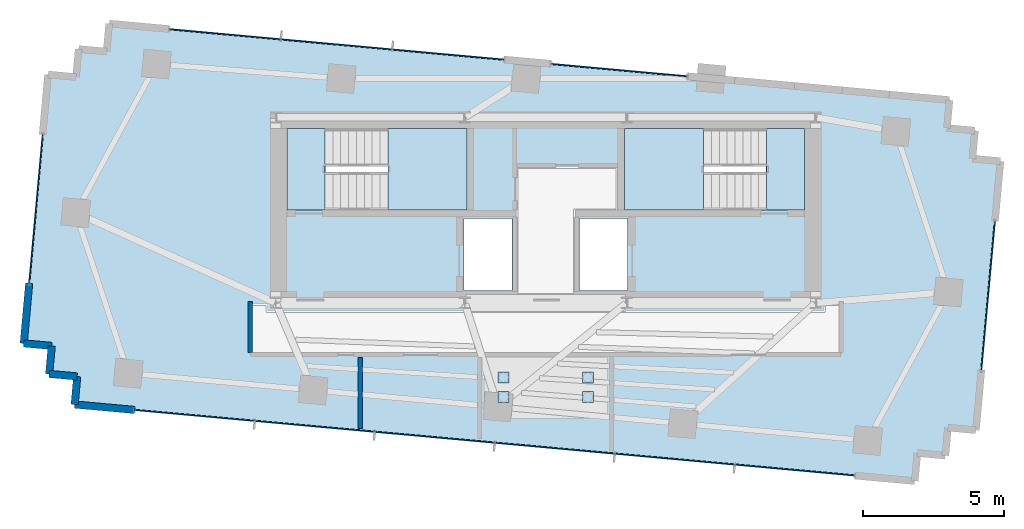
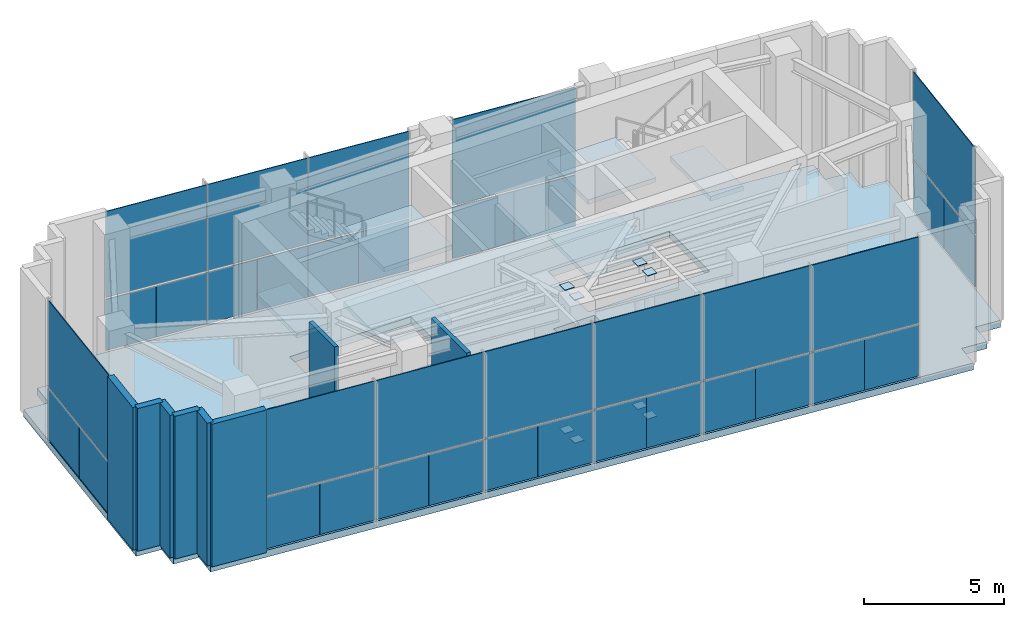
# One storey, part 11 of 14: 44 plates, 8 walls, 7 slabs, 7 elements without a shape of their own.
"""IFC4 building model written with IfcOpenShell, lengths in metres."""

from ifc_helpers import new_model, si_unit, direction, frame, frame_2d, origin, origin_2d, place, context, subcontext, project, spatial, polyline, rectangle, outline, extrude, source, transform, mapped, material, layer, layer_set, type_object, type_shapes, element, aggregate, save


model = new_model("IFC4")

# Units and contexts
model_context = context("Model", 3, precision=1e-05, world=origin(), true_north=direction((0.0, 1.0)))
body_context = subcontext(model_context, "Body", "Model", "MODEL_VIEW")
ifc_project = project(units=[si_unit("LENGTHUNIT", "METRE"), si_unit("AREAUNIT", "SQUARE_METRE"), si_unit("VOLUMEUNIT", "CUBIC_METRE"), si_unit("PLANEANGLEUNIT", "RADIAN"), si_unit("MASSUNIT", "GRAM", prefix="KILO")], contexts=[model_context])

# Site, building, storey
site_placement = place(None, origin())
site = spatial("IfcSite", under=ifc_project, at=site_placement, CompositionType="ELEMENT")
building_placement = place(site_placement, origin())
building = spatial("IfcBuilding", under=site, at=building_placement, Name="Astriad Promenade Condominiums", CompositionType="ELEMENT")
storey_placement = place(building_placement, frame((0.0, 0.0, 270.800048828125)))
storey = spatial("IfcBuildingStorey", under=building, at=storey_placement, Name="L77", CompositionType="ELEMENT", Elevation=270.800048828125)

# Slab
ifc_material_1 = material(Name="Concrete C50/60", Category="concrete")
ifc_layer_1 = layer(ifc_material_1, 0.300048828125)
ifc_layer_set_1 = layer_set([ifc_layer_1], Name="Concrete C50/60")
slab_type_1 = type_object("IfcSlabType", Name="CONCRETE PODIUM AND PLANT FLOOR SLAB 300", PredefinedType="FLOOR", material=ifc_layer_set_1)
slab_1_placement = place(storey_placement, frame((0.0, 0.0, -0.300048828125)))
element("IfcSlab", 1, at=slab_1_placement, inside=storey, type_object=slab_type_1, Name="Structural Floor Slab (L77)", PredefinedType="FLOOR", context=body_context, shape_type="SweptSolid", body=[
    extrude(outline(polyline([(19.245361328125, 13.78759765625), (49.1220703125, 11.068603515625), (49.212646484375, 12.064453125), (50.20849609375, 11.9736328125), (50.299072265625, 12.969482421875), (51.294921875, 12.87890625), (52.1650390625, 22.439453125), (51.169189453125, 22.530029296875), (51.259765625, 23.52587890625), (50.263916015625, 23.61669921875), (50.3544921875, 24.612548828125), (20.47802734375, 27.33154296875), (20.387451171875, 26.335693359375), (19.3916015625, 26.42626953125), (19.30078125, 25.430419921875), (18.304931640625, 25.52099609375), (17.434814453125, 15.96044921875), (18.430908203125, 15.869873046875), (18.340087890625, 14.8740234375), (19.336181640625, 14.783447265625), (19.245361328125, 13.78759765625)]), holes=[polyline([(28.175048828125, 20.699951171875), (33.175048828125, 20.699951171875), (33.175048828125, 23.60009765625), (28.175048828125, 23.60009765625), (28.175048828125, 20.699951171875)]), polyline([(38.824951171875, 20.699951171875), (43.824951171875, 20.699951171875), (43.824951171875, 23.60009765625), (38.824951171875, 23.60009765625), (38.824951171875, 20.699951171875)]), polyline([(33.10009765625, 17.85009765625), (34.800048828125, 17.85009765625), (34.800048828125, 20.39990234375), (33.10009765625, 20.39990234375), (33.10009765625, 17.85009765625)]), polyline([(37.199951171875, 17.85009765625), (38.89990234375, 17.85009765625), (38.89990234375, 20.39990234375), (37.199951171875, 20.39990234375), (37.199951171875, 17.85009765625)])]), origin(), (0.0, 0.0, 1.0), 0.300048828125),
])

# Stair, slabs
stair_type = type_object("IfcStairType", Name="STR-CORE-1350", PredefinedType="HALF_TURN_STAIR", material=ifc_material_1)
stair_1_placement = place(storey_placement, origin())
stair_1 = element("IfcStair", 2, at=stair_1_placement, inside=storey, type_object=stair_type, Name="L77 Enclosed Core Exit Stair ST-1", PredefinedType="HALF_TURN_STAIR")
ifc_layer_2 = layer(ifc_material_1, 0.219970703125)
ifc_layer_set_2 = layer_set([ifc_layer_2], Name="Concrete C50/60")
slab_type_2 = type_object("IfcSlabType", Name="SLB-LANDING-220", PredefinedType="LANDING", material=ifc_layer_set_2)
slab_2_placement = place(storey_placement, frame((0.0, 0.0, 1.425048828125)))
slab_2 = element("IfcSlab", 3, at=slab_2_placement, type_object=slab_type_2, Name="ST-1 landing 1", PredefinedType="LANDING", context=body_context, shape_type="SweptSolid", body=[
    extrude(outline(polyline([(30.389892578125, 20.699951171875), (33.199951171875, 20.699951171875), (33.199951171875, 23.60009765625), (30.389892578125, 23.60009765625), (30.389892578125, 20.699951171875)])), origin(), (0.0, 0.0, 1.0), 0.199951171875),
])
slab_3_placement = place(storey_placement, frame((0.0, 0.0, 3.050048828125)))
slab_3 = element("IfcSlab", 4, at=slab_3_placement, type_object=slab_type_2, Name="ST-1 landing 2", PredefinedType="LANDING", context=body_context, shape_type="SweptSolid", body=[
    extrude(outline(polyline([(26.800048828125, 20.699951171875), (28.14990234375, 20.699951171875), (28.14990234375, 23.60009765625), (26.800048828125, 23.60009765625), (26.800048828125, 20.699951171875)])), origin(), (0.0, 0.0, 1.0), 0.199951171875),
])
slab_4_placement = place(storey_placement, frame((0.0, 0.0, 4.675048828125)))
slab_4 = element("IfcSlab", 5, at=slab_4_placement, type_object=slab_type_2, Name="ST-1 landing 3", PredefinedType="LANDING", context=body_context, shape_type="SweptSolid", body=[
    extrude(outline(polyline([(30.389892578125, 20.699951171875), (33.199951171875, 20.699951171875), (33.199951171875, 23.60009765625), (30.389892578125, 23.60009765625), (30.389892578125, 20.699951171875)])), origin(), (0.0, 0.0, 1.0), 0.199951171875),
])
aggregate(stair_1, [slab_2, slab_3, slab_4])

stair_2_placement = place(storey_placement, origin())
stair_2 = element("IfcStair", 6, at=stair_2_placement, inside=storey, type_object=stair_type, Name="L77 Enclosed Core Exit Stair ST-2", PredefinedType="HALF_TURN_STAIR")
slab_5_placement = place(storey_placement, frame((0.0, 0.0, 1.425048828125)))
slab_5 = element("IfcSlab", 7, at=slab_5_placement, type_object=slab_type_2, Name="ST-2 landing 1", PredefinedType="LANDING", context=body_context, shape_type="SweptSolid", body=[
    extrude(outline(polyline([(41.610107421875, 23.60009765625), (38.800048828125, 23.60009765625), (38.800048828125, 20.699951171875), (41.610107421875, 20.699951171875), (41.610107421875, 23.60009765625)])), origin(), (0.0, 0.0, 1.0), 0.199951171875),
])
slab_6_placement = place(storey_placement, frame((0.0, 0.0, 3.050048828125)))
slab_6 = element("IfcSlab", 8, at=slab_6_placement, type_object=slab_type_2, Name="ST-2 landing 2", PredefinedType="LANDING", context=body_context, shape_type="SweptSolid", body=[
    extrude(outline(polyline([(45.199951171875, 23.60009765625), (43.85009765625, 23.60009765625), (43.85009765625, 20.699951171875), (45.199951171875, 20.699951171875), (45.199951171875, 23.60009765625)])), origin(), (0.0, 0.0, 1.0), 0.199951171875),
])
slab_7_placement = place(storey_placement, frame((0.0, 0.0, 4.675048828125)))
slab_7 = element("IfcSlab", 9, at=slab_7_placement, type_object=slab_type_2, Name="ST-2 landing 3", PredefinedType="LANDING", context=body_context, shape_type="SweptSolid", body=[
    extrude(outline(polyline([(41.610107421875, 23.60009765625), (38.800048828125, 23.60009765625), (38.800048828125, 20.699951171875), (41.610107421875, 20.699951171875), (41.610107421875, 23.60009765625)])), origin(), (0.0, 0.0, 1.0), 0.199951171875),
])
aggregate(stair_2, [slab_5, slab_6, slab_7])

# Plates
ifc_material_2 = material(Name="Steel ASTM A572 Grade 50", Category="steel")
ifc_layer_3 = layer(ifc_material_2, 0.02490234375)
ifc_layer_set_3 = layer_set([ifc_layer_3], Name="Steel ASTM A572 Grade 50")
plate_type_1 = type_object("IfcPlateType", Name="STEEL HOLLOW SECTION END CAP PLATE 30", PredefinedType="USERDEFINED", material=ifc_layer_set_3)
shared_shape_1 = source(origin(), body_context, "Body", "SweptSolid", [
    extrude(rectangle(XDim=0.3955078125, YDim=0.3955078125, at=origin_2d()), origin(), (0.0, 0.0, 1.0), 0.02490234375),
])
type_shapes(plate_type_1, [shared_shape_1])
for number, where, z_axis, x_axis, name in (
    (10, (34.5, 14.050048828125, -0.02490234375), (0.0, 0.0, 1.0), (1.0, 0.0, 0.0), "Hollow Section End Cap Plate STRUT-PEND-01-A"),
    (11, (34.5, 14.050048828125, 6.219970703125), (0.0, 0.0, 1.0), (1.0, 0.0, 0.0), "Hollow Section End Cap Plate STRUT-PEND-01-B"),
    (12, (37.5, 14.050048828125, -0.02490234375), (0.0, 0.0, 1.0), (1.0, 0.0, 0.0), "Hollow Section End Cap Plate STRUT-PEND-02-A"),
    (13, (37.5, 14.050048828125, 6.219970703125), (0.0, 0.0, 1.0), (1.0, 0.0, 0.0), "Hollow Section End Cap Plate STRUT-PEND-02-B"),
    (14, (37.5, 14.75, -0.02490234375), (0.0, 0.0, 1.0), (1.0, 0.0, 0.0), "Hollow Section End Cap Plate STRUT-PEND-03-A"),
    (15, (37.5, 14.75, 6.219970703125), (0.0, 0.0, 1.0), (1.0, 0.0, 0.0), "Hollow Section End Cap Plate STRUT-PEND-03-B"),
    (16, (34.5, 14.75, -0.02490234375), (0.0, 0.0, 1.0), (1.0, 0.0, 0.0), "Hollow Section End Cap Plate STRUT-PEND-04-A"),
    (17, (34.5, 14.75, 6.219970703125), (0.0, 0.0, 1.0), (1.0, 0.0, 0.0), "Hollow Section End Cap Plate STRUT-PEND-04-B"),
):
    element("IfcPlate", number, at=place(storey_placement, frame(where, z_axis=z_axis, x_axis=x_axis)), inside=storey, type_object=plate_type_1, Name=name, ObjectType="STIFFENER_PLATE", PredefinedType="USERDEFINED", context=body_context, shape_type="MappedRepresentation", body=[
        mapped(shared_shape_1, transform((0.0, 0.0, 0.0), scale=1.0)),
    ])

# Curtain wall, plates
ifc_material_3 = material(Name="Anodised aluminium Black Dark Glass Unitised", Category="aluminium")
curtain_wall_type = type_object("IfcCurtainWallType", Name="CW-TMD-LANTERN", PredefinedType="USERDEFINED", material=ifc_material_3)
curtain_wall_1_placement = place(storey_placement, origin())
curtain_wall_1 = element("IfcCurtainWall", 18, at=curtain_wall_1_placement, inside=storey, type_object=curtain_wall_type, Name="CW-LNT-L77-03-1", ObjectType="UNITISED_CURTAIN_WALL", PredefinedType="USERDEFINED")
ifc_material_4 = material(Name="Translucent Acoustic Fritted Dark Glass", Category="glass")
ifc_layer_4 = layer(ifc_material_4, 0.035888671875)
ifc_layer_set_4 = layer_set([ifc_layer_4], Name="Translucent Acoustic Fritted Dark Glass")
plate_type_2 = type_object("IfcPlateType", Name="PNL-LANTERN-GLOW-36", PredefinedType="CURTAIN_PANEL", material=ifc_layer_set_4)
shared_shape_2 = source(origin(), body_context, "Body", "SweptSolid", [
    extrude(rectangle(XDim=2.637939453125, YDim=0.035888671875, at=origin_2d()), origin(), (0.0, 0.0, 1.0), 2.22998046875),
])
plate_1_placement = place(storey_placement, frame((17.75, 19.42138671875, 0.080078125), z_axis=(0.0, 0.0, 1.0), x_axis=(0.090632580198, 0.995884398616, 0.0)))
plate_1 = element("IfcPlate", 19, at=plate_1_placement, type_object=plate_type_2, Name="CW-LNT-L77-03-1-PNL-00-VL", PredefinedType="CURTAIN_PANEL", context=body_context, shape_type="MappedRepresentation", body=[
    mapped(shared_shape_2, transform((0.0, 0.0, 0.0), scale=1.0)),
])
plate_2_placement = place(storey_placement, frame((17.989990234375, 22.060302734375, 0.080078125), z_axis=(0.0, 0.0, 1.0), x_axis=(0.090632580198, 0.995884398616, 0.0)))
plate_2 = element("IfcPlate", 20, at=plate_2_placement, type_object=plate_type_2, Name="CW-LNT-L77-03-1-PNL-00-VR", PredefinedType="CURTAIN_PANEL", context=body_context, shape_type="MappedRepresentation", body=[
    mapped(shared_shape_2, transform((0.0, 0.0, 0.0), scale=1.0)),
])

curtain_wall_2_placement = place(storey_placement, origin())
curtain_wall_2 = element("IfcCurtainWall", 21, at=curtain_wall_2_placement, inside=storey, type_object=curtain_wall_type, Name="CW-LNT-L77-13-1", ObjectType="UNITISED_CURTAIN_WALL", PredefinedType="USERDEFINED")
plate_3_placement = place(storey_placement, frame((51.85009765625, 18.978759765625, 0.080078125), z_axis=(0.0, 0.0, 1.0), x_axis=(-0.090632580198, -0.995884398616, 0.0)))
plate_3 = element("IfcPlate", 22, at=plate_3_placement, type_object=plate_type_2, Name="CW-LNT-L77-13-1-PNL-00-VL", PredefinedType="CURTAIN_PANEL", context=body_context, shape_type="MappedRepresentation", body=[
    mapped(shared_shape_2, transform((0.0, 0.0, 0.0), scale=1.0)),
])
plate_4_placement = place(storey_placement, frame((51.60986328125, 16.339599609375, 0.080078125), z_axis=(0.0, 0.0, 1.0), x_axis=(-0.090632580198, -0.995884398616, 0.0)))
plate_4 = element("IfcPlate", 23, at=plate_4_placement, type_object=plate_type_2, Name="CW-LNT-L77-13-1-PNL-00-VR", PredefinedType="CURTAIN_PANEL", context=body_context, shape_type="MappedRepresentation", body=[
    mapped(shared_shape_2, transform((0.0, 0.0, 0.0), scale=1.0)),
])

curtain_wall_3_placement = place(storey_placement, origin())
curtain_wall_3 = element("IfcCurtainWall", 24, at=curtain_wall_3_placement, inside=storey, type_object=curtain_wall_type, Name="CW-LNT-L77-08-1", ObjectType="UNITISED_CURTAIN_WALL", PredefinedType="USERDEFINED")
shared_shape_3 = source(origin(), body_context, "Body", "SweptSolid", [
    extrude(rectangle(XDim=1.977783203125, YDim=0.035888671875, at=origin_2d()), origin(), (0.0, 0.0, 1.0), 2.22998046875),
])
plate_5_placement = place(storey_placement, frame((23.60986328125, 27.04638671875, 0.080078125), z_axis=(0.0, 0.0, 1.0), x_axis=(0.995884398616, -0.090632580198, 0.0)))
plate_5 = element("IfcPlate", 25, at=plate_5_placement, type_object=plate_type_2, Name="CW-LNT-L77-08-1-PNL-00-VL", PredefinedType="CURTAIN_PANEL", context=body_context, shape_type="MappedRepresentation", body=[
    mapped(shared_shape_3, transform((0.0, 0.0, 0.0), scale=1.0)),
])
plate_6_placement = place(storey_placement, frame((25.591552734375, 26.8662109375, 0.080078125), z_axis=(0.0, 0.0, 1.0), x_axis=(0.995884398616, -0.090632580198, 0.0)))
plate_6 = element("IfcPlate", 26, at=plate_6_placement, type_object=plate_type_2, Name="CW-LNT-L77-08-1-PNL-00-VR", PredefinedType="CURTAIN_PANEL", context=body_context, shape_type="MappedRepresentation", body=[
    mapped(shared_shape_3, transform((0.0, 0.0, 0.0), scale=1.0)),
])
plate_7_placement = place(storey_placement, frame((27.572998046875, 26.685791015625, 0.080078125), z_axis=(0.0, 0.0, 1.0), x_axis=(0.995884398616, -0.090632580198, 0.0)))
plate_7 = element("IfcPlate", 27, at=plate_7_placement, type_object=plate_type_2, Name="CW-LNT-L77-08-1-PNL-01-VL", PredefinedType="CURTAIN_PANEL", context=body_context, shape_type="MappedRepresentation", body=[
    mapped(shared_shape_3, transform((0.0, 0.0, 0.0), scale=1.0)),
])
plate_8_placement = place(storey_placement, frame((29.554443359375, 26.50537109375, 0.080078125), z_axis=(0.0, 0.0, 1.0), x_axis=(0.995884398616, -0.090632580198, 0.0)))
plate_8 = element("IfcPlate", 28, at=plate_8_placement, type_object=plate_type_2, Name="CW-LNT-L77-08-1-PNL-01-VR", PredefinedType="CURTAIN_PANEL", context=body_context, shape_type="MappedRepresentation", body=[
    mapped(shared_shape_3, transform((0.0, 0.0, 0.0), scale=1.0)),
])
plate_9_placement = place(storey_placement, frame((31.535888671875, 26.3251953125, 0.080078125), z_axis=(0.0, 0.0, 1.0), x_axis=(0.995884398616, -0.090632580198, 0.0)))
plate_9 = element("IfcPlate", 29, at=plate_9_placement, type_object=plate_type_2, Name="CW-LNT-L77-08-1-PNL-02-VL", PredefinedType="CURTAIN_PANEL", context=body_context, shape_type="MappedRepresentation", body=[
    mapped(shared_shape_3, transform((0.0, 0.0, 0.0), scale=1.0)),
])
plate_10_placement = place(storey_placement, frame((33.517578125, 26.144775390625, 0.080078125), z_axis=(0.0, 0.0, 1.0), x_axis=(0.995884398616, -0.090632580198, 0.0)))
plate_10 = element("IfcPlate", 30, at=plate_10_placement, type_object=plate_type_2, Name="CW-LNT-L77-08-1-PNL-02-VR", PredefinedType="CURTAIN_PANEL", context=body_context, shape_type="MappedRepresentation", body=[
    mapped(shared_shape_3, transform((0.0, 0.0, 0.0), scale=1.0)),
])

curtain_wall_4_placement = place(storey_placement, origin())
curtain_wall_4 = element("IfcCurtainWall", 31, at=curtain_wall_4_placement, inside=storey, type_object=curtain_wall_type, Name="CW-LNT-L77-08-2", ObjectType="UNITISED_CURTAIN_WALL", PredefinedType="USERDEFINED")
shared_shape_4 = source(origin(), body_context, "Body", "SweptSolid", [
    extrude(rectangle(XDim=2.410888671875, YDim=0.035888671875, at=origin_2d()), origin(), (0.0, 0.0, 1.0), 2.22998046875),
])
plate_11_placement = place(storey_placement, frame((37.40771484375, 25.790771484375, 0.080078125), z_axis=(0.0, 0.0, 1.0), x_axis=(0.995884398616, -0.090632580198, 0.0)))
plate_11 = element("IfcPlate", 32, at=plate_11_placement, type_object=plate_type_2, Name="CW-LNT-L77-08-2-PNL-00-VL", PredefinedType="CURTAIN_PANEL", context=body_context, shape_type="MappedRepresentation", body=[
    mapped(shared_shape_4, transform((0.0, 0.0, 0.0), scale=1.0)),
])
plate_12_placement = place(storey_placement, frame((39.820556640625, 25.571044921875, 0.080078125), z_axis=(0.0, 0.0, 1.0), x_axis=(0.995884398616, -0.090632580198, 0.0)))
plate_12 = element("IfcPlate", 33, at=plate_12_placement, type_object=plate_type_2, Name="CW-LNT-L77-08-2-PNL-00-VR", PredefinedType="CURTAIN_PANEL", context=body_context, shape_type="MappedRepresentation", body=[
    mapped(shared_shape_4, transform((0.0, 0.0, 0.0), scale=1.0)),
])

curtain_wall_5_placement = place(storey_placement, origin())
curtain_wall_5 = element("IfcCurtainWall", 34, at=curtain_wall_5_placement, inside=storey, type_object=curtain_wall_type, Name="CW-LNT-L77-18-1", ObjectType="UNITISED_CURTAIN_WALL", PredefinedType="USERDEFINED")
shared_shape_5 = source(origin(), body_context, "Body", "SweptSolid", [
    extrude(rectangle(XDim=2.129638671875, YDim=0.035888671875, at=origin_2d()), origin(), (0.0, 0.0, 1.0), 2.22998046875),
])
plate_13_placement = place(storey_placement, frame((45.914306640625, 11.360595703125, 0.080078125), z_axis=(0.0, 0.0, 1.0), x_axis=(-0.995884398616, 0.090632580198, 0.0)))
plate_13 = element("IfcPlate", 35, at=plate_13_placement, type_object=plate_type_2, Name="CW-LNT-L77-18-1-PNL-00-VL", PredefinedType="CURTAIN_PANEL", context=body_context, shape_type="MappedRepresentation", body=[
    mapped(shared_shape_5, transform((0.0, 0.0, 0.0), scale=1.0)),
])
plate_14_placement = place(storey_placement, frame((43.781494140625, 11.5546875, 0.080078125), z_axis=(0.0, 0.0, 1.0), x_axis=(-0.995884398616, 0.090632580198, 0.0)))
plate_14 = element("IfcPlate", 36, at=plate_14_placement, type_object=plate_type_2, Name="CW-LNT-L77-18-1-PNL-00-VR", PredefinedType="CURTAIN_PANEL", context=body_context, shape_type="MappedRepresentation", body=[
    mapped(shared_shape_5, transform((0.0, 0.0, 0.0), scale=1.0)),
])
plate_15_placement = place(storey_placement, frame((41.648681640625, 11.74853515625, 0.080078125), z_axis=(0.0, 0.0, 1.0), x_axis=(-0.995884398616, 0.090632580198, 0.0)))
plate_15 = element("IfcPlate", 37, at=plate_15_placement, type_object=plate_type_2, Name="CW-LNT-L77-18-1-PNL-01-VL", PredefinedType="CURTAIN_PANEL", context=body_context, shape_type="MappedRepresentation", body=[
    mapped(shared_shape_5, transform((0.0, 0.0, 0.0), scale=1.0)),
])
plate_16_placement = place(storey_placement, frame((39.515869140625, 11.94287109375, 0.080078125), z_axis=(0.0, 0.0, 1.0), x_axis=(-0.995884398616, 0.090632580198, 0.0)))
plate_16 = element("IfcPlate", 38, at=plate_16_placement, type_object=plate_type_2, Name="CW-LNT-L77-18-1-PNL-01-VR", PredefinedType="CURTAIN_PANEL", context=body_context, shape_type="MappedRepresentation", body=[
    mapped(shared_shape_5, transform((0.0, 0.0, 0.0), scale=1.0)),
])
plate_17_placement = place(storey_placement, frame((37.383056640625, 12.136962890625, 0.080078125), z_axis=(0.0, 0.0, 1.0), x_axis=(-0.995884398616, 0.090632580198, 0.0)))
plate_17 = element("IfcPlate", 39, at=plate_17_placement, type_object=plate_type_2, Name="CW-LNT-L77-18-1-PNL-02-VL", PredefinedType="CURTAIN_PANEL", context=body_context, shape_type="MappedRepresentation", body=[
    mapped(shared_shape_5, transform((0.0, 0.0, 0.0), scale=1.0)),
])
plate_18_placement = place(storey_placement, frame((35.25, 12.3310546875, 0.080078125), z_axis=(0.0, 0.0, 1.0), x_axis=(-0.995884398616, 0.090632580198, 0.0)))
plate_18 = element("IfcPlate", 40, at=plate_18_placement, type_object=plate_type_2, Name="CW-LNT-L77-18-1-PNL-02-VR", PredefinedType="CURTAIN_PANEL", context=body_context, shape_type="MappedRepresentation", body=[
    mapped(shared_shape_5, transform((0.0, 0.0, 0.0), scale=1.0)),
])
plate_19_placement = place(storey_placement, frame((33.1171875, 12.525146484375, 0.080078125), z_axis=(0.0, 0.0, 1.0), x_axis=(-0.995884398616, 0.090632580198, 0.0)))
plate_19 = element("IfcPlate", 41, at=plate_19_placement, type_object=plate_type_2, Name="CW-LNT-L77-18-1-PNL-03-VL", PredefinedType="CURTAIN_PANEL", context=body_context, shape_type="MappedRepresentation", body=[
    mapped(shared_shape_5, transform((0.0, 0.0, 0.0), scale=1.0)),
])
plate_20_placement = place(storey_placement, frame((30.984375, 12.71923828125, 0.080078125), z_axis=(0.0, 0.0, 1.0), x_axis=(-0.995884398616, 0.090632580198, 0.0)))
plate_20 = element("IfcPlate", 42, at=plate_20_placement, type_object=plate_type_2, Name="CW-LNT-L77-18-1-PNL-03-VR", PredefinedType="CURTAIN_PANEL", context=body_context, shape_type="MappedRepresentation", body=[
    mapped(shared_shape_5, transform((0.0, 0.0, 0.0), scale=1.0)),
])
plate_21_placement = place(storey_placement, frame((28.8515625, 12.913330078125, 0.080078125), z_axis=(0.0, 0.0, 1.0), x_axis=(-0.995884398616, 0.090632580198, 0.0)))
plate_21 = element("IfcPlate", 43, at=plate_21_placement, type_object=plate_type_2, Name="CW-LNT-L77-18-1-PNL-04-VL", PredefinedType="CURTAIN_PANEL", context=body_context, shape_type="MappedRepresentation", body=[
    mapped(shared_shape_5, transform((0.0, 0.0, 0.0), scale=1.0)),
])
plate_22_placement = place(storey_placement, frame((26.718505859375, 13.107421875, 0.080078125), z_axis=(0.0, 0.0, 1.0), x_axis=(-0.995884398616, 0.090632580198, 0.0)))
plate_22 = element("IfcPlate", 44, at=plate_22_placement, type_object=plate_type_2, Name="CW-LNT-L77-18-1-PNL-04-VR", PredefinedType="CURTAIN_PANEL", context=body_context, shape_type="MappedRepresentation", body=[
    mapped(shared_shape_5, transform((0.0, 0.0, 0.0), scale=1.0)),
])
plate_23_placement = place(storey_placement, frame((24.585693359375, 13.301513671875, 0.080078125), z_axis=(0.0, 0.0, 1.0), x_axis=(-0.995884398616, 0.090632580198, 0.0)))
plate_23 = element("IfcPlate", 45, at=plate_23_placement, type_object=plate_type_2, Name="CW-LNT-L77-18-1-PNL-05-VL", PredefinedType="CURTAIN_PANEL", context=body_context, shape_type="MappedRepresentation", body=[
    mapped(shared_shape_5, transform((0.0, 0.0, 0.0), scale=1.0)),
])
plate_24_placement = place(storey_placement, frame((22.452880859375, 13.49560546875, 0.080078125), z_axis=(0.0, 0.0, 1.0), x_axis=(-0.995884398616, 0.090632580198, 0.0)))
plate_24 = element("IfcPlate", 46, at=plate_24_placement, type_object=plate_type_2, Name="CW-LNT-L77-18-1-PNL-05-VR", PredefinedType="CURTAIN_PANEL", context=body_context, shape_type="MappedRepresentation", body=[
    mapped(shared_shape_5, transform((0.0, 0.0, 0.0), scale=1.0)),
])

# Plate
shared_shape_6 = source(origin(), body_context, "Body", "SweptSolid", [
    extrude(rectangle(XDim=5.2880859375, YDim=0.035888671875, at=origin_2d()), origin(), (0.0, 0.0, 1.0), 3.75),
])
plate_25_placement = place(storey_placement, frame((17.8701171875, 20.74072265625, 2.389892578125), z_axis=(0.0, 0.0, 1.0), x_axis=(0.090632580198, 0.995884398616, 0.0)))
plate_25 = element("IfcPlate", 47, at=plate_25_placement, type_object=plate_type_2, Name="CW-LNT-L77-03-1-PNL-00-S", PredefinedType="CURTAIN_PANEL", context=body_context, shape_type="MappedRepresentation", body=[
    mapped(shared_shape_6, transform((0.0, 0.0, 0.0), scale=1.0)),
])

aggregate(curtain_wall_1, [plate_1, plate_2, plate_25])

plate_26_placement = place(storey_placement, frame((51.72998046875, 17.6591796875, 2.389892578125), z_axis=(0.0, 0.0, 1.0), x_axis=(-0.090632580198, -0.995884398616, 0.0)))
plate_26 = element("IfcPlate", 48, at=plate_26_placement, type_object=plate_type_2, Name="CW-LNT-L77-13-1-PNL-00-S", PredefinedType="CURTAIN_PANEL", context=body_context, shape_type="MappedRepresentation", body=[
    mapped(shared_shape_6, transform((0.0, 0.0, 0.0), scale=1.0)),
])

aggregate(curtain_wall_2, [plate_3, plate_4, plate_26])

shared_shape_7 = source(origin(), body_context, "Body", "SweptSolid", [
    extrude(rectangle(XDim=3.96728515625, YDim=0.035888671875, at=origin_2d()), origin(), (0.0, 0.0, 1.0), 3.75),
])
plate_27_placement = place(storey_placement, frame((24.6005859375, 26.956298828125, 2.389892578125), z_axis=(0.0, 0.0, 1.0), x_axis=(0.995884398616, -0.090632580198, 0.0)))
plate_27 = element("IfcPlate", 49, at=plate_27_placement, type_object=plate_type_2, Name="CW-LNT-L77-08-1-PNL-00-S", PredefinedType="CURTAIN_PANEL", context=body_context, shape_type="MappedRepresentation", body=[
    mapped(shared_shape_7, transform((0.0, 0.0, 0.0), scale=1.0)),
])

plate_28_placement = place(storey_placement, frame((28.563720703125, 26.595703125, 2.389892578125), z_axis=(0.0, 0.0, 1.0), x_axis=(0.995884398616, -0.090632580198, 0.0)))
plate_28 = element("IfcPlate", 50, at=plate_28_placement, type_object=plate_type_2, Name="CW-LNT-L77-08-1-PNL-01-S", PredefinedType="CURTAIN_PANEL", context=body_context, shape_type="MappedRepresentation", body=[
    mapped(shared_shape_7, transform((0.0, 0.0, 0.0), scale=1.0)),
])

plate_29_placement = place(storey_placement, frame((32.526611328125, 26.23486328125, 2.389892578125), z_axis=(0.0, 0.0, 1.0), x_axis=(0.995884398616, -0.090632580198, 0.0)))
plate_29 = element("IfcPlate", 51, at=plate_29_placement, type_object=plate_type_2, Name="CW-LNT-L77-08-1-PNL-02-S", PredefinedType="CURTAIN_PANEL", context=body_context, shape_type="MappedRepresentation", body=[
    mapped(shared_shape_7, transform((0.0, 0.0, 0.0), scale=1.0)),
])

aggregate(curtain_wall_3, [plate_5, plate_6, plate_27, plate_7, plate_8, plate_28, plate_9, plate_10, plate_29])

shared_shape_8 = source(origin(), body_context, "Body", "SweptSolid", [
    extrude(rectangle(XDim=4.833740234375, YDim=0.035888671875, at=origin_2d()), origin(), (0.0, 0.0, 1.0), 3.75),
])
plate_30_placement = place(storey_placement, frame((38.614013671875, 25.680908203125, 2.389892578125), z_axis=(0.0, 0.0, 1.0), x_axis=(0.995884398616, -0.090632580198, 0.0)))
plate_30 = element("IfcPlate", 52, at=plate_30_placement, type_object=plate_type_2, Name="CW-LNT-L77-08-2-PNL-00-S", PredefinedType="CURTAIN_PANEL", context=body_context, shape_type="MappedRepresentation", body=[
    mapped(shared_shape_8, transform((0.0, 0.0, 0.0), scale=1.0)),
])

aggregate(curtain_wall_4, [plate_11, plate_12, plate_30])

shared_shape_9 = source(origin(), body_context, "Body", "SweptSolid", [
    extrude(rectangle(XDim=4.271240234375, YDim=0.035888671875, at=origin_2d()), origin(), (0.0, 0.0, 1.0), 3.75),
])
type_shapes(plate_type_2, [shared_shape_2, shared_shape_3, shared_shape_4, shared_shape_5, shared_shape_6, shared_shape_7, shared_shape_8, shared_shape_9])
plate_31_placement = place(storey_placement, frame((44.847900390625, 11.45751953125, 2.389892578125), z_axis=(0.0, 0.0, 1.0), x_axis=(-0.995884398616, 0.090632580198, 0.0)))
plate_31 = element("IfcPlate", 53, at=plate_31_placement, type_object=plate_type_2, Name="CW-LNT-L77-18-1-PNL-00-S", PredefinedType="CURTAIN_PANEL", context=body_context, shape_type="MappedRepresentation", body=[
    mapped(shared_shape_9, transform((0.0, 0.0, 0.0), scale=1.0)),
])

plate_32_placement = place(storey_placement, frame((40.582275390625, 11.845703125, 2.389892578125), z_axis=(0.0, 0.0, 1.0), x_axis=(-0.995884398616, 0.090632580198, 0.0)))
plate_32 = element("IfcPlate", 54, at=plate_32_placement, type_object=plate_type_2, Name="CW-LNT-L77-18-1-PNL-01-S", PredefinedType="CURTAIN_PANEL", context=body_context, shape_type="MappedRepresentation", body=[
    mapped(shared_shape_9, transform((0.0, 0.0, 0.0), scale=1.0)),
])

plate_33_placement = place(storey_placement, frame((36.31640625, 12.23388671875, 2.389892578125), z_axis=(0.0, 0.0, 1.0), x_axis=(-0.995884398616, 0.090632580198, 0.0)))
plate_33 = element("IfcPlate", 55, at=plate_33_placement, type_object=plate_type_2, Name="CW-LNT-L77-18-1-PNL-02-S", PredefinedType="CURTAIN_PANEL", context=body_context, shape_type="MappedRepresentation", body=[
    mapped(shared_shape_9, transform((0.0, 0.0, 0.0), scale=1.0)),
])

plate_34_placement = place(storey_placement, frame((32.05078125, 12.622314453125, 2.389892578125), z_axis=(0.0, 0.0, 1.0), x_axis=(-0.995884398616, 0.090632580198, 0.0)))
plate_34 = element("IfcPlate", 56, at=plate_34_placement, type_object=plate_type_2, Name="CW-LNT-L77-18-1-PNL-03-S", PredefinedType="CURTAIN_PANEL", context=body_context, shape_type="MappedRepresentation", body=[
    mapped(shared_shape_9, transform((0.0, 0.0, 0.0), scale=1.0)),
])

plate_35_placement = place(storey_placement, frame((27.784912109375, 13.010498046875, 2.389892578125), z_axis=(0.0, 0.0, 1.0), x_axis=(-0.995884398616, 0.090632580198, 0.0)))
plate_35 = element("IfcPlate", 57, at=plate_35_placement, type_object=plate_type_2, Name="CW-LNT-L77-18-1-PNL-04-S", PredefinedType="CURTAIN_PANEL", context=body_context, shape_type="MappedRepresentation", body=[
    mapped(shared_shape_9, transform((0.0, 0.0, 0.0), scale=1.0)),
])

plate_36_placement = place(storey_placement, frame((23.519287109375, 13.398681640625, 2.389892578125), z_axis=(0.0, 0.0, 1.0), x_axis=(-0.995884398616, 0.090632580198, 0.0)))
plate_36 = element("IfcPlate", 58, at=plate_36_placement, type_object=plate_type_2, Name="CW-LNT-L77-18-1-PNL-05-S", PredefinedType="CURTAIN_PANEL", context=body_context, shape_type="MappedRepresentation", body=[
    mapped(shared_shape_9, transform((0.0, 0.0, 0.0), scale=1.0)),
])

aggregate(curtain_wall_5, [plate_13, plate_14, plate_31, plate_15, plate_16, plate_32, plate_17, plate_18, plate_33, plate_19, plate_20, plate_34, plate_21, plate_22, plate_35, plate_23, plate_24, plate_36])

# Walls
ifc_material_5 = material(Name="Fire-Rated Gypsum Partition")
ifc_layer_5 = layer(ifc_material_5, 0.159912109375)
ifc_layer_set_5 = layer_set([ifc_layer_5], Name="Fire-Rated Gypsum Partition")
wall_type_1 = type_object("IfcWallType", Name="WALL-CORR-160", PredefinedType="PARTITIONING", material=ifc_layer_set_5)
wall_1_placement = place(storey_placement, frame((25.5, 15.632080078125, 0.0), z_axis=(0.0, 0.0, 1.0), x_axis=(0.0, 1.0, 0.0)))
element("IfcWall", 59, at=wall_1_placement, inside=storey, type_object=wall_type_1, Name="PT-L77-CWSP", PredefinedType="PARTITIONING", context=body_context, shape_type="SweptSolid", body=[
    extrude(rectangle(XDim=1.81787109375, YDim=0.159912109375, at=frame_2d((0.908935546875, 0.0))), origin(), (0.0, 0.0, 1.0), 6.219970703125),
])
wall_2_placement = place(storey_placement, frame((29.39990234375, 12.943603515625, 0.0), z_axis=(0.0, 0.0, 1.0), x_axis=(0.0, 1.0, 0.0)))
element("IfcWall", 60, at=wall_2_placement, inside=storey, type_object=wall_type_1, Name="PT-L77-VW", PredefinedType="PARTITIONING", context=body_context, shape_type="SweptSolid", body=[
    extrude(rectangle(XDim=2.5244140625, YDim=0.159912109375, at=frame_2d((1.26220703125, 0.0))), origin(), (0.0, 0.0, 1.0), 6.219970703125),
])
ifc_material_6 = material(Name="Precast concrete C50/60", Category="concrete")
ifc_layer_6 = layer(ifc_material_6, 0.260009765625)
ifc_layer_set_6 = layer_set([ifc_layer_6], Name="Precast concrete C50/60")
wall_type_2 = type_object("IfcWallType", Name="WALL-EXT-TWR-260", PredefinedType="STANDARD", material=ifc_layer_set_6)
wall_3_placement = place(storey_placement, frame((19.336181640625, 14.783447265625, 0.0), z_axis=(0.0, 0.0, 1.0), x_axis=(-0.995891205479, 0.090557754224, 0.0)))
element("IfcWall", 61, at=wall_3_placement, inside=storey, type_object=wall_type_2, Name="W-LNT-L77-00", PredefinedType="STANDARD", context=body_context, shape_type="SweptSolid", body=[
    extrude(rectangle(XDim=1.000244140625, YDim=0.260009765625, at=frame_2d((0.5, 0.0))), origin(), (0.0, 0.0, 1.0), 6.219970703125),
])
wall_4_placement = place(storey_placement, frame((18.340087890625, 14.8740234375, 0.0), z_axis=(0.0, 0.0, 1.0), x_axis=(0.090821912176, 0.995867149909, 0.0)))
element("IfcWall", 62, at=wall_4_placement, inside=storey, type_object=wall_type_2, Name="W-LNT-L77-01", PredefinedType="STANDARD", context=body_context, shape_type="SweptSolid", body=[
    extrude(rectangle(XDim=1.0, YDim=0.260009765625, at=frame_2d((0.5, 0.0))), origin(), (0.0, 0.0, 1.0), 6.219970703125),
])
wall_5_placement = place(storey_placement, frame((18.430908203125, 15.869873046875, 0.0), z_axis=(0.0, 0.0, 1.0), x_axis=(-0.995891205479, 0.090557754224, 0.0)))
element("IfcWall", 63, at=wall_5_placement, inside=storey, type_object=wall_type_2, Name="W-LNT-L77-02", PredefinedType="STANDARD", context=body_context, shape_type="SweptSolid", body=[
    extrude(rectangle(XDim=1.000244140625, YDim=0.260009765625, at=frame_2d((0.5, 0.0))), origin(), (0.0, 0.0, 1.0), 6.219970703125),
])
for number, where, z_axis, x_axis, name in (
    (64, (17.434814453125, 15.96044921875, 0.0), (0.0, 0.0, 1.0), (0.090720017492, 0.995876437329, 0.0), "W-LNT-L77-03A"),
    (65, (21.38671875, 13.592529296875, 0.0), (0.0, 0.0, 1.0), (-0.995876437329, 0.090720017492, 0.0), "W-LNT-L77-18B"),
):
    element("IfcWall", number, at=place(storey_placement, frame(where, z_axis=z_axis, x_axis=x_axis)), inside=storey, type_object=wall_type_2, Name=name, PredefinedType="STANDARD", context=body_context, shape_type="SweptSolid", body=[
        extrude(rectangle(XDim=2.150146484375, YDim=0.260009765625, at=frame_2d((1.0751953125, 0.0))), origin(), (0.0, 0.0, 1.0), 6.219970703125),
    ])
wall_6_placement = place(storey_placement, frame((19.245361328125, 13.78759765625, 0.0), z_axis=(0.0, 0.0, 1.0), x_axis=(0.090821912176, 0.995867149909, 0.0)))
element("IfcWall", 66, at=wall_6_placement, inside=storey, type_object=wall_type_2, Name="W-LNT-L77-19", PredefinedType="STANDARD", context=body_context, shape_type="SweptSolid", body=[
    extrude(rectangle(XDim=1.0, YDim=0.260009765625, at=frame_2d((0.5, 0.0))), origin(), (0.0, 0.0, 1.0), 6.219970703125),
])

save(model, "model.ifc")
